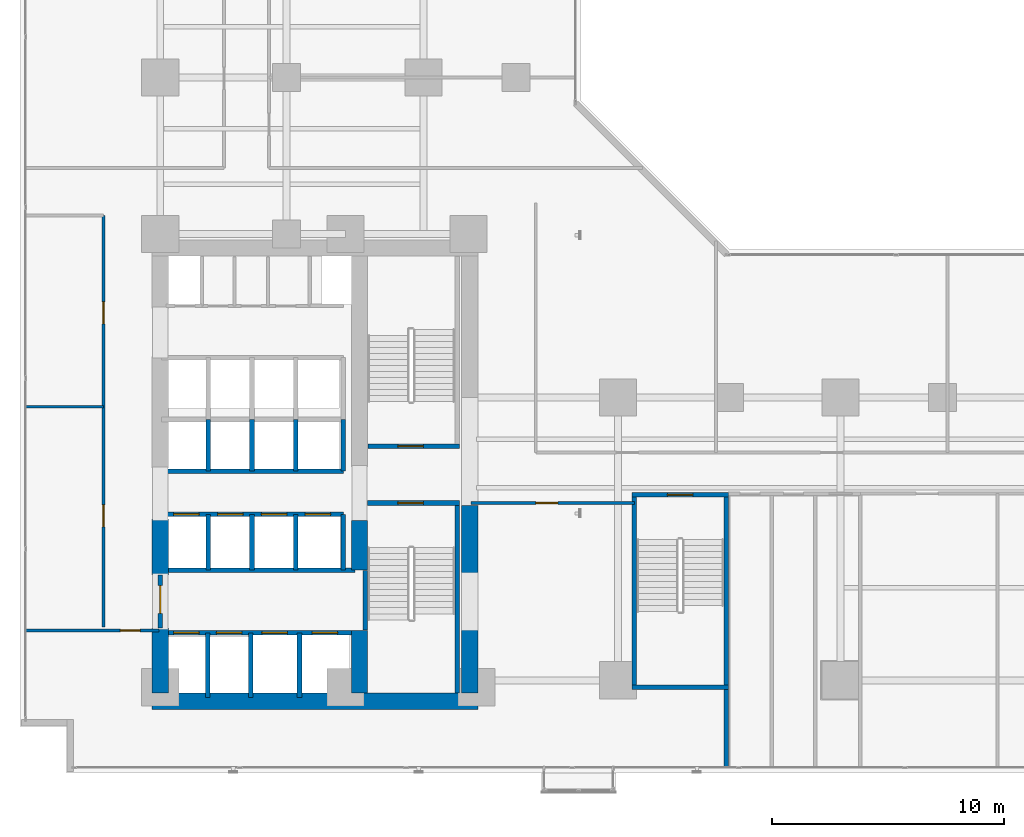
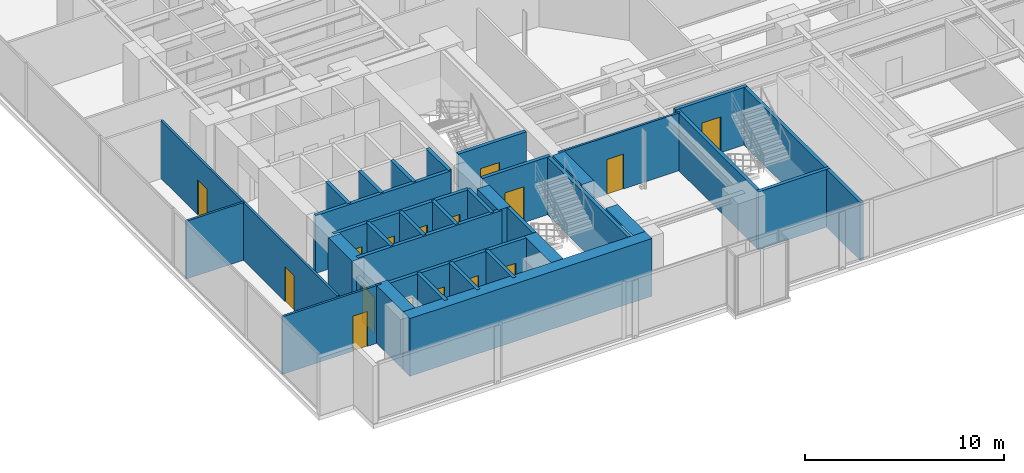
# One storey, part 22 of 28: 35 walls, 16 doors, 16 openings.
"""IFC4 building model written with IfcOpenShell, lengths in metres."""

from ifc_helpers import new_model, si_unit, direction, frame, frame_2d, origin, place, context, subcontext, project, spatial, rectangle, extrude, material, layer, layer_set, type_object, element, fill, save


model = new_model("IFC4")

# Units and contexts
model_context = context("Model", 3, precision=1e-05, world=origin(), true_north=direction((0.0, 1.0)))
body_context = subcontext(model_context, "Body", "Model", "MODEL_VIEW")
ifc_project = project(units=[si_unit("LENGTHUNIT", "METRE"), si_unit("AREAUNIT", "SQUARE_METRE"), si_unit("VOLUMEUNIT", "CUBIC_METRE"), si_unit("PLANEANGLEUNIT", "RADIAN"), si_unit("MASSUNIT", "GRAM", prefix="KILO")], contexts=[model_context])

# Site, building, storey
site_placement = place(None, origin())
site = spatial("IfcSite", under=ifc_project, at=site_placement, CompositionType="ELEMENT")
building_placement = place(site_placement, origin())
building = spatial("IfcBuilding", under=site, at=building_placement, Name="Kolvaren Waterfront Exchange", CompositionType="ELEMENT")
storey_placement = place(building_placement, frame((0.0, 0.0, 75.199951171875)))
storey = spatial("IfcBuildingStorey", under=building, at=storey_placement, Name="L19", CompositionType="ELEMENT", Elevation=75.199951171875)

# Wall, opening, door
ifc_material_1 = material(Name="Precast concrete C40/50", Category="concrete")
ifc_layer_1 = layer(ifc_material_1, 0.199951171875, Name="Precast concrete C40/50")
ifc_layer_set_1 = layer_set([ifc_layer_1], Name="Precast concrete C40/50")
wall_type_1 = type_object("IfcWallType", Name="ARC-FIRE-200", PredefinedType="PARTITIONING", material=ifc_layer_set_1)
wall_1_placement = place(storey_placement, frame((16.39990234375, 12.85009765625, 0.0), z_axis=(0.0, 0.0, 1.0), x_axis=(1.0, 0.0, 0.0)))
wall_1 = element("IfcWall", 1, at=wall_1_placement, inside=storey, type_object=wall_type_1, Name="L19 interior wall PW-L19-ST1-THROAT-S", PredefinedType="PARTITIONING", context=body_context, shape_type="SweptSolid", body=[
    extrude(rectangle(XDim=3.960205078125, YDim=0.199951171875, at=frame_2d((1.97998046875, 0.0))), origin(), (0.0, 0.0, 1.0), 3.5400390625),
])
opening_1_placement = place(wall_1_placement, frame((1.3037109375, 0.0, 0.0)))
opening_1 = element("IfcOpeningElement", 2, at=opening_1_placement, cuts=wall_1, Name="Opening FD2", PredefinedType="OPENING", context=body_context, shape_type="SweptSolid", body=[
    extrude(rectangle(XDim=1.10009765625, YDim=2.199951171875, at=frame_2d((0.550048828125, 1.10009765625))), frame((0.0, 0.10986328125, 0.0), z_axis=(0.0, -1.0, 0.0), x_axis=(1.0, 0.0, 0.0)), (0.0, 0.0, 1.0), 0.219970703125),
])
ifc_material_2 = material(Name="Pressed steel smoke-seal fire door", Category="steel")
door_type_1 = type_object("IfcDoorType", Name="ARC-FD-1100", OperationType="NOTDEFINED", PredefinedType="DOOR", material=ifc_material_2)
door_1_placement = place(opening_1_placement, frame((1.10009765625, 0.0, 0.0), z_axis=(0.0, 0.0, 1.0), x_axis=(-1.0, 0.0, 0.0)))
door_1 = element("IfcDoor", 3, at=door_1_placement, inside=storey, type_object=door_type_1, Name="L19 door DR-L19-ST1-IN (FD2)", OperationType="SINGLE_SWING_LEFT", OverallHeight=2.199951171875, OverallWidth=1.10009765625, PredefinedType="DOOR", context=body_context, shape_type="SweptSolid", body=[
    extrude(rectangle(XDim=1.10009765625, YDim=2.199951171875, at=frame_2d((0.550048828125, 1.10009765625))), frame((0.0, 0.02490234375, 0.0), z_axis=(0.0, -1.0, 0.0), x_axis=(1.0, 0.0, 0.0)), (0.0, 0.0, 1.0), 0.050048828125),
])
fill(opening_1, door_1)

wall_2_placement = place(storey_placement, frame((16.409912109375, 15.300048828125, 0.0), z_axis=(0.0, 0.0, 1.0), x_axis=(1.0, 0.0, 0.0)))
wall_2 = element("IfcWall", 4, at=wall_2_placement, inside=storey, type_object=wall_type_1, Name="L19 interior wall PW-L19-ST2-THROAT-N", PredefinedType="PARTITIONING", context=body_context, shape_type="SweptSolid", body=[
    extrude(rectangle(XDim=3.9501953125, YDim=0.199951171875, at=frame_2d((1.97509765625, 0.0))), origin(), (0.0, 0.0, 1.0), 3.5400390625),
])
opening_2_placement = place(wall_2_placement, frame((1.293701171875, 0.0, 0.0)))
opening_2 = element("IfcOpeningElement", 5, at=opening_2_placement, cuts=wall_2, Name="Opening FD2", PredefinedType="OPENING", context=body_context, shape_type="SweptSolid", body=[
    extrude(rectangle(XDim=1.10009765625, YDim=2.199951171875, at=frame_2d((0.550048828125, 1.10009765625))), frame((0.0, 0.10986328125, 0.0), z_axis=(0.0, -1.0, 0.0), x_axis=(1.0, 0.0, 0.0)), (0.0, 0.0, 1.0), 0.219970703125),
])
door_2_placement = place(opening_2_placement, origin())
door_2 = element("IfcDoor", 6, at=door_2_placement, inside=storey, type_object=door_type_1, Name="L19 door DR-L19-ST2-IN (FD2)", OperationType="SINGLE_SWING_RIGHT", OverallHeight=2.199951171875, OverallWidth=1.10009765625, PredefinedType="DOOR", context=body_context, shape_type="SweptSolid", body=[
    extrude(rectangle(XDim=1.10009765625, YDim=2.199951171875, at=frame_2d((0.550048828125, 1.10009765625))), frame((0.0, 0.02490234375, 0.0), z_axis=(0.0, -1.0, 0.0), x_axis=(1.0, 0.0, 0.0)), (0.0, 0.0, 1.0), 0.050048828125),
])
fill(opening_2, door_2)

# Wall
wall_3_placement = place(storey_placement, frame((7.5, 9.949951171875, 0.0), z_axis=(0.0, 0.0, 1.0), x_axis=(1.0, 0.0, 0.0)))
element("IfcWall", 7, at=wall_3_placement, inside=storey, type_object=wall_type_1, Name="L19 interior wall PW-L19-FF-N", PredefinedType="PARTITIONING", context=body_context, shape_type="SweptSolid", body=[
    extrude(rectangle(XDim=8.35009765625, YDim=0.199951171875, at=frame_2d((4.175048828125, 0.0))), origin(), (0.0, 0.0, 1.0), 3.5400390625),
])

# Wall, opening, door
wall_4_placement = place(storey_placement, frame((7.449951171875, 7.449951171875, 0.0), z_axis=(0.0, 0.0, 1.0), x_axis=(0.0, 1.0, 0.0)))
wall_4 = element("IfcWall", 8, at=wall_4_placement, inside=storey, type_object=wall_type_1, Name="L19 interior wall PW-L19-FF-W-DOOR", PredefinedType="PARTITIONING", context=body_context, shape_type="SweptSolid", body=[
    extrude(rectangle(XDim=2.300048828125, YDim=0.199951171875, at=frame_2d((1.14990234375, 0.0))), origin(), (0.0, 0.0, 1.0), 2.52001953125),
])
opening_3_placement = place(wall_4_placement, frame((0.63330078125, 0.0, 0.0)))
opening_3 = element("IfcOpeningElement", 9, at=opening_3_placement, cuts=wall_4, Name="Opening FD3", PredefinedType="OPENING", context=body_context, shape_type="SweptSolid", body=[
    extrude(rectangle(XDim=1.199951171875, YDim=2.25, at=frame_2d((0.60009765625, 1.125))), frame((0.0, 0.10986328125, 0.0), z_axis=(0.0, -1.0, 0.0), x_axis=(1.0, 0.0, 0.0)), (0.0, 0.0, 1.0), 0.219970703125),
])
ifc_material_3 = material(Name="Pressed steel fire door", Category="steel")
door_type_2 = type_object("IfcDoorType", Name="ARC-FD-1200", OperationType="NOTDEFINED", PredefinedType="DOOR", material=ifc_material_3)
door_3_placement = place(opening_3_placement, frame((1.199951171875, 0.0, 0.0), z_axis=(0.0, 0.0, 1.0), x_axis=(-1.0, 0.0, 0.0)))
door_3 = element("IfcDoor", 10, at=door_3_placement, inside=storey, type_object=door_type_2, Name="L19 door DR-L19-FF-OUT (FD3)", OperationType="SINGLE_SWING_RIGHT", OverallHeight=2.25, OverallWidth=1.199951171875, PredefinedType="DOOR", context=body_context, shape_type="SweptSolid", body=[
    extrude(rectangle(XDim=1.199951171875, YDim=2.25, at=frame_2d((0.60009765625, 1.125))), frame((0.0, 0.02490234375, 0.0), z_axis=(0.0, -1.0, 0.0), x_axis=(1.0, 0.0, 0.0)), (0.0, 0.0, 1.0), 0.050048828125),
])
fill(opening_3, door_3)

ifc_material_4 = material(Name="Acoustic gypsum steel stud", Category="steel")
ifc_layer_2 = layer(ifc_material_4, 0.125, Name="Acoustic gypsum steel stud")
ifc_layer_set_2 = layer_set([ifc_layer_2], Name="Acoustic gypsum steel stud")
wall_type_2 = type_object("IfcWallType", Name="ARC-PART-125", PredefinedType="PARTITIONING", material=ifc_layer_set_2)
wall_5_placement = place(storey_placement, frame((1.639892578125, 7.35009765625, 0.0), z_axis=(0.0, 0.0, 1.0), x_axis=(1.0, 0.0, 0.0)))
wall_5 = element("IfcWall", 11, at=wall_5_placement, inside=storey, type_object=wall_type_2, Name="L19 interior wall PW-L19-SWC-N", PredefinedType="PARTITIONING", context=body_context, shape_type="SweptSolid", body=[
    extrude(rectangle(XDim=5.760009765625, YDim=0.125, at=frame_2d((2.8798828125, 0.0))), origin(), (0.0, 0.0, 1.0), 3.5400390625),
])
opening_4_placement = place(wall_5_placement, frame((4.086669921875, 0.0, 0.0)))
opening_4 = element("IfcOpeningElement", 12, at=opening_4_placement, cuts=wall_5, Name="Opening D01", PredefinedType="OPENING", context=body_context, shape_type="SweptSolid", body=[
    extrude(rectangle(XDim=0.85009765625, YDim=2.14990234375, at=frame_2d((0.425048828125, 1.074951171875))), frame((0.0, 0.072509765625, 0.0), z_axis=(0.0, -1.0, 0.0), x_axis=(1.0, 0.0, 0.0)), (0.0, 0.0, 1.0), 0.14501953125),
])
ifc_material_5 = material(Name="Oak veneer timber leaf", Category="wood")
door_type_3 = type_object("IfcDoorType", Name="ARC-DR-900", OperationType="NOTDEFINED", PredefinedType="DOOR", material=ifc_material_5)
door_4_placement = place(opening_4_placement, origin())
door_4 = element("IfcDoor", 13, at=door_4_placement, inside=storey, type_object=door_type_3, Name="L19 door DR-L19-SWC-D (D01)", OperationType="SINGLE_SWING_RIGHT", OverallHeight=2.14990234375, OverallWidth=0.85009765625, PredefinedType="DOOR", context=body_context, shape_type="SweptSolid", body=[
    extrude(rectangle(XDim=0.85009765625, YDim=2.14990234375, at=frame_2d((0.425048828125, 1.074951171875))), frame((0.0, 0.02490234375, 0.0), z_axis=(0.0, -1.0, 0.0), x_axis=(1.0, 0.0, 0.0)), (0.0, 0.0, 1.0), 0.050048828125),
])
fill(opening_4, door_4)

# Wall, openings, doors
wall_6_placement = place(storey_placement, frame((5.0, 7.5, 0.0), z_axis=(0.0, 0.0, 1.0), x_axis=(0.0, 1.0, 0.0)))
wall_6 = element("IfcWall", 14, at=wall_6_placement, inside=storey, type_object=wall_type_2, Name="L19 interior wall PW-L19-WFLANK-E", PredefinedType="PARTITIONING", context=body_context, shape_type="SweptSolid", body=[
    extrude(rectangle(XDim=17.75, YDim=0.125, at=frame_2d((8.875, 0.0))), origin(), (0.0, 0.0, 1.0), 3.5400390625),
])
opening_5_placement = place(wall_6_placement, frame((4.320068359375, 0.0, 0.0)))
opening_5 = element("IfcOpeningElement", 15, at=opening_5_placement, cuts=wall_6, Name="Opening D02", PredefinedType="OPENING", context=body_context, shape_type="SweptSolid", body=[
    extrude(rectangle(XDim=0.949951171875, YDim=2.14990234375, at=frame_2d((0.47509765625, 1.074951171875))), frame((0.0, 0.072509765625, 0.0), z_axis=(0.0, -1.0, 0.0), x_axis=(1.0, 0.0, 0.0)), (0.0, 0.0, 1.0), 0.14501953125),
])
opening_6_placement = place(wall_6_placement, frame((13.078857421875, 0.0, 0.0)))
opening_6 = element("IfcOpeningElement", 16, at=opening_6_placement, cuts=wall_6, Name="Opening D02", PredefinedType="OPENING", context=body_context, shape_type="SweptSolid", body=[
    extrude(rectangle(XDim=0.949951171875, YDim=2.14990234375, at=frame_2d((0.47509765625, 1.074951171875))), frame((0.0, 0.072509765625, 0.0), z_axis=(0.0, -1.0, 0.0), x_axis=(1.0, 0.0, 0.0)), (0.0, 0.0, 1.0), 0.14501953125),
])
ifc_material_6 = material(Name="Oak veneer acoustic timber", Category="wood")
door_type_4 = type_object("IfcDoorType", Name="ARC-DR-950", OperationType="NOTDEFINED", PredefinedType="DOOR", material=ifc_material_6)
door_5_placement = place(opening_5_placement, origin())
door_5 = element("IfcDoor", 17, at=door_5_placement, inside=storey, type_object=door_type_4, Name="L19 door DR-L19-WFL1-D (D02)", OperationType="SINGLE_SWING_LEFT", OverallHeight=2.14990234375, OverallWidth=0.949951171875, PredefinedType="DOOR", context=body_context, shape_type="SweptSolid", body=[
    extrude(rectangle(XDim=0.949951171875, YDim=2.14990234375, at=frame_2d((0.47509765625, 1.074951171875))), frame((0.0, 0.02490234375, 0.0), z_axis=(0.0, -1.0, 0.0), x_axis=(1.0, 0.0, 0.0)), (0.0, 0.0, 1.0), 0.050048828125),
])
fill(opening_5, door_5)
door_6_placement = place(opening_6_placement, origin())
door_6 = element("IfcDoor", 18, at=door_6_placement, inside=storey, type_object=door_type_4, Name="L19 door DR-L19-WFL2-D (D02)", OperationType="SINGLE_SWING_RIGHT", OverallHeight=2.14990234375, OverallWidth=0.949951171875, PredefinedType="DOOR", context=body_context, shape_type="SweptSolid", body=[
    extrude(rectangle(XDim=0.949951171875, YDim=2.14990234375, at=frame_2d((0.47509765625, 1.074951171875))), frame((0.0, 0.02490234375, 0.0), z_axis=(0.0, -1.0, 0.0), x_axis=(1.0, 0.0, 0.0)), (0.0, 0.0, 1.0), 0.050048828125),
])
fill(opening_6, door_6)

# Wall
wall_7_placement = place(storey_placement, frame((1.639892578125, 17.0, 0.0), z_axis=(0.0, 0.0, 1.0), x_axis=(1.0, 0.0, 0.0)))
element("IfcWall", 19, at=wall_7_placement, inside=storey, type_object=wall_type_2, Name="L19 interior wall PW-L19-WFLANK-MID", PredefinedType="PARTITIONING", context=body_context, shape_type="SweptSolid", body=[
    extrude(rectangle(XDim=3.360107421875, YDim=0.125, at=frame_2d((1.68017578125, 0.0))), origin(), (0.0, 0.0, 1.0), 3.5400390625),
])

# Wall, opening, door
wall_8_placement = place(storey_placement, frame((20.85009765625, 12.85009765625, 0.0), z_axis=(0.0, 0.0, 1.0), x_axis=(1.0, 0.0, 0.0)))
wall_8 = element("IfcWall", 20, at=wall_8_placement, inside=storey, type_object=wall_type_2, Name="L19 interior wall PW-L19-SWST3-N", PredefinedType="PARTITIONING", context=body_context, shape_type="SweptSolid", body=[
    extrude(rectangle(XDim=7.0498046875, YDim=0.125, at=frame_2d((3.52490234375, 0.0))), origin(), (0.0, 0.0, 1.0), 3.5400390625),
])
opening_7_placement = place(wall_8_placement, frame((2.800048828125, 0.0, 0.0)))
opening_7 = element("IfcOpeningElement", 21, at=opening_7_placement, cuts=wall_8, Name="Opening D02", PredefinedType="OPENING", context=body_context, shape_type="SweptSolid", body=[
    extrude(rectangle(XDim=0.949951171875, YDim=2.14990234375, at=frame_2d((0.47509765625, 1.074951171875))), frame((0.0, 0.072509765625, 0.0), z_axis=(0.0, -1.0, 0.0), x_axis=(1.0, 0.0, 0.0)), (0.0, 0.0, 1.0), 0.14501953125),
])
door_7_placement = place(opening_7_placement, origin())
door_7 = element("IfcDoor", 22, at=door_7_placement, inside=storey, type_object=door_type_4, Name="L19 door DR-L19-SWST3-D (D02)", OperationType="SINGLE_SWING_LEFT", OverallHeight=2.14990234375, OverallWidth=0.949951171875, PredefinedType="DOOR", context=body_context, shape_type="SweptSolid", body=[
    extrude(rectangle(XDim=0.949951171875, YDim=2.14990234375, at=frame_2d((0.47509765625, 1.074951171875))), frame((0.0, 0.02490234375, 0.0), z_axis=(0.0, -1.0, 0.0), x_axis=(1.0, 0.0, 0.0)), (0.0, 0.0, 1.0), 0.050048828125),
])
fill(opening_7, door_7)

# Walls
ifc_material_7 = material(Name="Concrete C40/50", Category="concrete")
ifc_layer_3 = layer(ifc_material_7, 0.199951171875, Name="Concrete C40/50")
ifc_layer_set_3 = layer_set([ifc_layer_3], Name="Concrete C40/50")
wall_type_3 = type_object("IfcWallType", Name="ARC-SHAFT-200", PredefinedType="PARTITIONING", material=ifc_layer_set_3)
wall_9_placement = place(storey_placement, frame((16.300048828125, 7.360107421875, 0.0), z_axis=(0.0, 0.0, 1.0), x_axis=(0.0, 1.0, 0.0)))
element("IfcWall", 23, at=wall_9_placement, inside=storey, type_object=wall_type_3, Name="L19 structural stairwell wall PW-L19-ST1-W", PredefinedType="SHEAR", context=body_context, shape_type="SweptSolid", body=[
    extrude(rectangle(XDim=2.579833984375, YDim=0.199951171875, at=frame_2d((1.2900390625, 0.0))), origin(), (0.0, 0.0, 1.0), 3.5400390625),
])
wall_10_placement = place(storey_placement, frame((20.260009765625, 4.659912109375, 0.0), z_axis=(0.0, 0.0, 1.0), x_axis=(0.0, 1.0, 0.0)))
element("IfcWall", 24, at=wall_10_placement, inside=storey, type_object=wall_type_3, Name="L19 structural stairwell wall PW-L19-ST1-E", PredefinedType="SHEAR", context=body_context, shape_type="SweptSolid", body=[
    extrude(rectangle(XDim=8.090087890625, YDim=0.199951171875, at=frame_2d((4.044921875, 0.0))), origin(), (0.0, 0.0, 1.0), 3.5400390625),
])
wall_11_placement = place(storey_placement, frame((27.89990234375, 5.0, 0.0), z_axis=(0.0, 0.0, 1.0), x_axis=(0.0, 1.0, 0.0)))
element("IfcWall", 25, at=wall_11_placement, inside=storey, type_object=wall_type_3, Name="L19 structural stairwell wall PW-L19-ST3-W", PredefinedType="SHEAR", context=body_context, shape_type="SweptSolid", body=[
    extrude(rectangle(XDim=8.10009765625, YDim=0.199951171875, at=frame_2d((4.050048828125, 0.0))), origin(), (0.0, 0.0, 1.0), 3.5400390625),
])
wall_12_placement = place(storey_placement, frame((31.860107421875, 1.43994140625, 0.0), z_axis=(0.0, 0.0, 1.0), x_axis=(0.0, 1.0, 0.0)))
element("IfcWall", 26, at=wall_12_placement, inside=storey, type_object=wall_type_3, Name="L19 structural stairwell wall PW-L19-ST3-E", PredefinedType="SHEAR", context=body_context, shape_type="SweptSolid", body=[
    extrude(rectangle(XDim=11.81005859375, YDim=0.199951171875, at=frame_2d((5.905029296875, 0.0))), origin(), (0.0, 0.0, 1.0), 3.5400390625),
])
wall_13_placement = place(storey_placement, frame((27.800048828125, 4.89990234375, 0.0), z_axis=(0.0, 0.0, 1.0), x_axis=(1.0, 0.0, 0.0)))
element("IfcWall", 27, at=wall_13_placement, inside=storey, type_object=wall_type_3, Name="L19 structural stairwell wall PW-L19-ST3-S", PredefinedType="SHEAR", context=body_context, shape_type="SweptSolid", body=[
    extrude(rectangle(XDim=4.159912109375, YDim=0.199951171875, at=frame_2d((2.080078125, 0.0))), origin(), (0.0, 0.0, 1.0), 3.5400390625),
])

# Wall, opening, door
wall_14_placement = place(storey_placement, frame((27.800048828125, 13.199951171875, 0.0), z_axis=(0.0, 0.0, 1.0), x_axis=(1.0, 0.0, 0.0)))
wall_14 = element("IfcWall", 28, at=wall_14_placement, inside=storey, type_object=wall_type_3, Name="L19 structural stairwell wall PW-L19-ST3-N", PredefinedType="SHEAR", context=body_context, shape_type="SweptSolid", body=[
    extrude(rectangle(XDim=4.159912109375, YDim=0.199951171875, at=frame_2d((2.080078125, 0.0))), origin(), (0.0, 0.0, 1.0), 3.5400390625),
])
opening_8_placement = place(wall_14_placement, frame((1.530029296875, 0.0, 0.0)))
opening_8 = element("IfcOpeningElement", 29, at=opening_8_placement, cuts=wall_14, Name="Opening FD2", PredefinedType="OPENING", context=body_context, shape_type="SweptSolid", body=[
    extrude(rectangle(XDim=1.10009765625, YDim=2.199951171875, at=frame_2d((0.550048828125, 1.10009765625))), frame((0.0, 0.10986328125, 0.0), z_axis=(0.0, -1.0, 0.0), x_axis=(1.0, 0.0, 0.0)), (0.0, 0.0, 1.0), 0.219970703125),
])
door_8_placement = place(opening_8_placement, frame((1.10009765625, 0.0, 0.0), z_axis=(0.0, 0.0, 1.0), x_axis=(-1.0, 0.0, 0.0)))
door_8 = element("IfcDoor", 30, at=door_8_placement, inside=storey, type_object=door_type_1, Name="L19 door DR-L19-ST3-IN (FD2)", OperationType="SINGLE_SWING_LEFT", OverallHeight=2.199951171875, OverallWidth=1.10009765625, PredefinedType="DOOR", context=body_context, shape_type="SweptSolid", body=[
    extrude(rectangle(XDim=1.10009765625, YDim=2.199951171875, at=frame_2d((0.550048828125, 1.10009765625))), frame((0.0, 0.02490234375, 0.0), z_axis=(0.0, -1.0, 0.0), x_axis=(1.0, 0.0, 0.0)), (0.0, 0.0, 1.0), 0.050048828125),
])
fill(opening_8, door_8)

# Wall, openings, doors
wall_15_placement = place(storey_placement, frame((7.5, 7.25, 0.0), z_axis=(0.0, 0.0, 1.0), x_axis=(1.0, 0.0, 0.0)))
wall_15 = element("IfcWall", 31, at=wall_15_placement, inside=storey, type_object=wall_type_3, Name="L19 interior wall PW-L19-FF-S", PredefinedType="PARTITIONING", context=body_context, shape_type="SweptSolid", body=[
    extrude(rectangle(XDim=8.35009765625, YDim=0.199951171875, at=frame_2d((4.175048828125, 0.0))), origin(), (0.0, 0.0, 1.0), 3.5400390625),
])
opening_9_placement = place(wall_15_placement, frame((0.530029296875, 0.0, 0.0)))
opening_9 = element("IfcOpeningElement", 32, at=opening_9_placement, cuts=wall_15, Name="Opening LD1", PredefinedType="OPENING", context=body_context, shape_type="SweptSolid", body=[
    extrude(rectangle(XDim=1.10009765625, YDim=2.199951171875, at=frame_2d((0.550048828125, 1.10009765625))), frame((0.0, 0.10986328125, 0.0), z_axis=(0.0, -1.0, 0.0), x_axis=(1.0, 0.0, 0.0)), (0.0, 0.0, 1.0), 0.219970703125),
])
opening_10_placement = place(wall_15_placement, frame((2.3701171875, 0.0, 0.0)))
opening_10 = element("IfcOpeningElement", 33, at=opening_10_placement, cuts=wall_15, Name="Opening LD1", PredefinedType="OPENING", context=body_context, shape_type="SweptSolid", body=[
    extrude(rectangle(XDim=1.10009765625, YDim=2.199951171875, at=frame_2d((0.550048828125, 1.10009765625))), frame((0.0, 0.10986328125, 0.0), z_axis=(0.0, -1.0, 0.0), x_axis=(1.0, 0.0, 0.0)), (0.0, 0.0, 1.0), 0.219970703125),
])
opening_11_placement = place(wall_15_placement, frame((4.330078125, 0.0, 0.0)))
opening_11 = element("IfcOpeningElement", 34, at=opening_11_placement, cuts=wall_15, Name="Opening LD1", PredefinedType="OPENING", context=body_context, shape_type="SweptSolid", body=[
    extrude(rectangle(XDim=1.10009765625, YDim=2.199951171875, at=frame_2d((0.550048828125, 1.10009765625))), frame((0.0, 0.10986328125, 0.0), z_axis=(0.0, -1.0, 0.0), x_axis=(1.0, 0.0, 0.0)), (0.0, 0.0, 1.0), 0.219970703125),
])
opening_12_placement = place(wall_15_placement, frame((6.5, 0.0, 0.0)))
opening_12 = element("IfcOpeningElement", 35, at=opening_12_placement, cuts=wall_15, Name="Opening LD1", PredefinedType="OPENING", context=body_context, shape_type="SweptSolid", body=[
    extrude(rectangle(XDim=1.10009765625, YDim=2.199951171875, at=frame_2d((0.550048828125, 1.10009765625))), frame((0.0, 0.10986328125, 0.0), z_axis=(0.0, -1.0, 0.0), x_axis=(1.0, 0.0, 0.0)), (0.0, 0.0, 1.0), 0.219970703125),
])
ifc_material_8 = material(Name="Stainless steel sliding landing door", Category="steel")
door_type_5 = type_object("IfcDoorType", Name="ARC-LD-FF", OperationType="SLIDING_TO_LEFT", PredefinedType="DOOR", material=ifc_material_8)
door_9_placement = place(opening_9_placement, origin())
door_9 = element("IfcDoor", 36, at=door_9_placement, inside=storey, type_object=door_type_5, Name="L19 door LD-L19-FFL1 (LD1)", OperationType="SLIDING_TO_LEFT", OverallHeight=2.199951171875, OverallWidth=1.10009765625, PredefinedType="DOOR", context=body_context, shape_type="SweptSolid", body=[
    extrude(rectangle(XDim=1.10009765625, YDim=2.199951171875, at=frame_2d((0.550048828125, 1.10009765625))), frame((0.0, 0.02490234375, 0.0), z_axis=(0.0, -1.0, 0.0), x_axis=(1.0, 0.0, 0.0)), (0.0, 0.0, 1.0), 0.050048828125),
])
fill(opening_9, door_9)
door_10_placement = place(opening_10_placement, origin())
door_10 = element("IfcDoor", 37, at=door_10_placement, inside=storey, type_object=door_type_5, Name="L19 door LD-L19-FFL2 (LD1)", OperationType="SLIDING_TO_LEFT", OverallHeight=2.199951171875, OverallWidth=1.10009765625, PredefinedType="DOOR", context=body_context, shape_type="SweptSolid", body=[
    extrude(rectangle(XDim=1.10009765625, YDim=2.199951171875, at=frame_2d((0.550048828125, 1.10009765625))), frame((0.0, 0.02490234375, 0.0), z_axis=(0.0, -1.0, 0.0), x_axis=(1.0, 0.0, 0.0)), (0.0, 0.0, 1.0), 0.050048828125),
])
fill(opening_10, door_10)
door_11_placement = place(opening_11_placement, origin())
door_11 = element("IfcDoor", 38, at=door_11_placement, inside=storey, type_object=door_type_5, Name="L19 door LD-L19-GL1 (LD1)", OperationType="SLIDING_TO_LEFT", OverallHeight=2.199951171875, OverallWidth=1.10009765625, PredefinedType="DOOR", context=body_context, shape_type="SweptSolid", body=[
    extrude(rectangle(XDim=1.10009765625, YDim=2.199951171875, at=frame_2d((0.550048828125, 1.10009765625))), frame((0.0, 0.02490234375, 0.0), z_axis=(0.0, -1.0, 0.0), x_axis=(1.0, 0.0, 0.0)), (0.0, 0.0, 1.0), 0.050048828125),
])
fill(opening_11, door_11)
door_12_placement = place(opening_12_placement, origin())
door_12 = element("IfcDoor", 39, at=door_12_placement, inside=storey, type_object=door_type_5, Name="L19 door LD-L19-GL2 (LD1)", OperationType="SLIDING_TO_LEFT", OverallHeight=2.199951171875, OverallWidth=1.10009765625, PredefinedType="DOOR", context=body_context, shape_type="SweptSolid", body=[
    extrude(rectangle(XDim=1.10009765625, YDim=2.199951171875, at=frame_2d((0.550048828125, 1.10009765625))), frame((0.0, 0.02490234375, 0.0), z_axis=(0.0, -1.0, 0.0), x_axis=(1.0, 0.0, 0.0)), (0.0, 0.0, 1.0), 0.050048828125),
])
fill(opening_12, door_12)

# Walls
for number, where, z_axis, x_axis, name in (
    (40, (9.5, 4.449951171875, 0.0), (0.0, 0.0, 1.0), (0.0, 1.0, 0.0), "L19 interior wall PW-L19-SH1-DIV-95"),
    (41, (11.360107421875, 4.449951171875, 0.0), (0.0, 0.0, 1.0), (0.0, 1.0, 0.0), "L19 interior wall PW-L19-SH1-DIV-113"),
    (42, (13.4599609375, 4.449951171875, 0.0), (0.0, 0.0, 1.0), (0.0, 1.0, 0.0), "L19 interior wall PW-L19-SH1-DIV-134"),
):
    element("IfcWall", number, at=place(storey_placement, frame(where, z_axis=z_axis, x_axis=x_axis)), inside=storey, type_object=wall_type_3, Name=name, PredefinedType="PARTITIONING", context=body_context, shape_type="SweptSolid", body=[
        extrude(rectangle(XDim=2.800048828125, YDim=0.199951171875, at=frame_2d((1.39990234375, 0.0))), origin(), (0.0, 0.0, 1.0), 3.5400390625),
    ])

# Wall, openings, doors
wall_16_placement = place(storey_placement, frame((7.5, 12.360107421875, 0.0), z_axis=(0.0, 0.0, 1.0), x_axis=(1.0, 0.0, 0.0)))
wall_16 = element("IfcWall", 43, at=wall_16_placement, inside=storey, type_object=wall_type_3, Name="L19 interior wall PW-L19-PL-N", PredefinedType="PARTITIONING", context=body_context, shape_type="SweptSolid", body=[
    extrude(rectangle(XDim=7.85009765625, YDim=0.199951171875, at=frame_2d((3.925048828125, 0.0))), origin(), (0.0, 0.0, 1.0), 3.5400390625),
])
opening_13_placement = place(wall_16_placement, frame((0.530029296875, 0.0, 0.0)))
opening_13 = element("IfcOpeningElement", 44, at=opening_13_placement, cuts=wall_16, Name="Opening LD2", PredefinedType="OPENING", context=body_context, shape_type="SweptSolid", body=[
    extrude(rectangle(XDim=1.10009765625, YDim=2.199951171875, at=frame_2d((0.550048828125, 1.10009765625))), frame((0.0, 0.10986328125, 0.0), z_axis=(0.0, -1.0, 0.0), x_axis=(1.0, 0.0, 0.0)), (0.0, 0.0, 1.0), 0.219970703125),
])
opening_14_placement = place(wall_16_placement, frame((2.419921875, 0.0, 0.0)))
opening_14 = element("IfcOpeningElement", 45, at=opening_14_placement, cuts=wall_16, Name="Opening LD2", PredefinedType="OPENING", context=body_context, shape_type="SweptSolid", body=[
    extrude(rectangle(XDim=1.10009765625, YDim=2.199951171875, at=frame_2d((0.550048828125, 1.10009765625))), frame((0.0, 0.10986328125, 0.0), z_axis=(0.0, -1.0, 0.0), x_axis=(1.0, 0.0, 0.0)), (0.0, 0.0, 1.0), 0.219970703125),
])
opening_15_placement = place(wall_16_placement, frame((4.31005859375, 0.0, 0.0)))
opening_15 = element("IfcOpeningElement", 46, at=opening_15_placement, cuts=wall_16, Name="Opening LD2", PredefinedType="OPENING", context=body_context, shape_type="SweptSolid", body=[
    extrude(rectangle(XDim=1.10009765625, YDim=2.199951171875, at=frame_2d((0.550048828125, 1.10009765625))), frame((0.0, 0.10986328125, 0.0), z_axis=(0.0, -1.0, 0.0), x_axis=(1.0, 0.0, 0.0)), (0.0, 0.0, 1.0), 0.219970703125),
])
opening_16_placement = place(wall_16_placement, frame((6.199951171875, 0.0, 0.0)))
opening_16 = element("IfcOpeningElement", 47, at=opening_16_placement, cuts=wall_16, Name="Opening LD2", PredefinedType="OPENING", context=body_context, shape_type="SweptSolid", body=[
    extrude(rectangle(XDim=1.10009765625, YDim=2.199951171875, at=frame_2d((0.550048828125, 1.10009765625))), frame((0.0, 0.10986328125, 0.0), z_axis=(0.0, -1.0, 0.0), x_axis=(1.0, 0.0, 0.0)), (0.0, 0.0, 1.0), 0.219970703125),
])
ifc_material_9 = material(Name="Brushed bronze sliding landing door", Category="aluminium")
door_type_6 = type_object("IfcDoorType", Name="ARC-LD-PAX", OperationType="SLIDING_TO_LEFT", PredefinedType="DOOR", material=ifc_material_9)
door_13_placement = place(opening_13_placement, origin())
door_13 = element("IfcDoor", 48, at=door_13_placement, inside=storey, type_object=door_type_6, Name="L19 door LD-L19-PL1 (LD2)", OperationType="SLIDING_TO_LEFT", OverallHeight=2.199951171875, OverallWidth=1.10009765625, PredefinedType="DOOR", context=body_context, shape_type="SweptSolid", body=[
    extrude(rectangle(XDim=1.10009765625, YDim=2.199951171875, at=frame_2d((0.550048828125, 1.10009765625))), frame((0.0, 0.02490234375, 0.0), z_axis=(0.0, -1.0, 0.0), x_axis=(1.0, 0.0, 0.0)), (0.0, 0.0, 1.0), 0.050048828125),
])
fill(opening_13, door_13)
door_14_placement = place(opening_14_placement, origin())
door_14 = element("IfcDoor", 49, at=door_14_placement, inside=storey, type_object=door_type_6, Name="L19 door LD-L19-PL2 (LD2)", OperationType="SLIDING_TO_LEFT", OverallHeight=2.199951171875, OverallWidth=1.10009765625, PredefinedType="DOOR", context=body_context, shape_type="SweptSolid", body=[
    extrude(rectangle(XDim=1.10009765625, YDim=2.199951171875, at=frame_2d((0.550048828125, 1.10009765625))), frame((0.0, 0.02490234375, 0.0), z_axis=(0.0, -1.0, 0.0), x_axis=(1.0, 0.0, 0.0)), (0.0, 0.0, 1.0), 0.050048828125),
])
fill(opening_14, door_14)
door_15_placement = place(opening_15_placement, origin())
door_15 = element("IfcDoor", 50, at=door_15_placement, inside=storey, type_object=door_type_6, Name="L19 door LD-L19-PL3 (LD2)", OperationType="SLIDING_TO_LEFT", OverallHeight=2.199951171875, OverallWidth=1.10009765625, PredefinedType="DOOR", context=body_context, shape_type="SweptSolid", body=[
    extrude(rectangle(XDim=1.10009765625, YDim=2.199951171875, at=frame_2d((0.550048828125, 1.10009765625))), frame((0.0, 0.02490234375, 0.0), z_axis=(0.0, -1.0, 0.0), x_axis=(1.0, 0.0, 0.0)), (0.0, 0.0, 1.0), 0.050048828125),
])
fill(opening_15, door_15)
door_16_placement = place(opening_16_placement, origin())
door_16 = element("IfcDoor", 51, at=door_16_placement, inside=storey, type_object=door_type_6, Name="L19 door LD-L19-PL4 (LD2)", OperationType="SLIDING_TO_LEFT", OverallHeight=2.199951171875, OverallWidth=1.10009765625, PredefinedType="DOOR", context=body_context, shape_type="SweptSolid", body=[
    extrude(rectangle(XDim=1.10009765625, YDim=2.199951171875, at=frame_2d((0.550048828125, 1.10009765625))), frame((0.0, 0.02490234375, 0.0), z_axis=(0.0, -1.0, 0.0), x_axis=(1.0, 0.0, 0.0)), (0.0, 0.0, 1.0), 0.050048828125),
])
fill(opening_16, door_16)

# Walls
for number, where, z_axis, x_axis, name in (
    (52, (15.35009765625, 9.949951171875, 0.0), (0.0, 0.0, 1.0), (0.0, 1.0, 0.0), "L19 interior wall PW-L19-PL-E"),
    (53, (9.52001953125, 9.949951171875, 0.0), (0.0, 0.0, 1.0), (0.0, 1.0, 0.0), "L19 interior wall PW-L19-SH2-DIV-95"),
    (54, (11.409912109375, 9.949951171875, 0.0), (0.0, 0.0, 1.0), (0.0, 1.0, 0.0), "L19 interior wall PW-L19-SH2-DIV-114"),
    (55, (13.300048828125, 9.949951171875, 0.0), (0.0, 0.0, 1.0), (0.0, 1.0, 0.0), "L19 interior wall PW-L19-SH2-DIV-133"),
):
    element("IfcWall", number, at=place(storey_placement, frame(where, z_axis=z_axis, x_axis=x_axis)), inside=storey, type_object=wall_type_3, Name=name, PredefinedType="PARTITIONING", context=body_context, shape_type="SweptSolid", body=[
        extrude(rectangle(XDim=2.41015625, YDim=0.199951171875, at=frame_2d((1.205078125, 0.0))), origin(), (0.0, 0.0, 1.0), 3.5400390625),
    ])
wall_17_placement = place(storey_placement, frame((7.5, 14.219970703125, 0.0), z_axis=(0.0, 0.0, 1.0), x_axis=(1.0, 0.0, 0.0)))
element("IfcWall", 56, at=wall_17_placement, inside=storey, type_object=wall_type_3, Name="L19 interior wall PW-L19-PM-S", PredefinedType="PARTITIONING", context=body_context, shape_type="SweptSolid", body=[
    extrude(rectangle(XDim=7.85009765625, YDim=0.199951171875, at=frame_2d((3.925048828125, 0.0))), origin(), (0.0, 0.0, 1.0), 3.5400390625),
])
for number, where, z_axis, x_axis, name in (
    (57, (15.35009765625, 14.219970703125, 0.0), (0.0, 0.0, 1.0), (0.0, 1.0, 0.0), "L19 interior wall PW-L19-PM-E"),
    (58, (9.52001953125, 14.219970703125, 0.0), (0.0, 0.0, 1.0), (0.0, 1.0, 0.0), "L19 interior wall PW-L19-SH3-DIV-95"),
    (59, (11.409912109375, 14.219970703125, 0.0), (0.0, 0.0, 1.0), (0.0, 1.0, 0.0), "L19 interior wall PW-L19-SH3-DIV-114"),
    (60, (13.300048828125, 14.219970703125, 0.0), (0.0, 0.0, 1.0), (0.0, 1.0, 0.0), "L19 interior wall PW-L19-SH3-DIV-133"),
):
    element("IfcWall", number, at=place(storey_placement, frame(where, z_axis=z_axis, x_axis=x_axis)), inside=storey, type_object=wall_type_3, Name=name, PredefinedType="PARTITIONING", context=body_context, shape_type="SweptSolid", body=[
        extrude(rectangle(XDim=2.22998046875, YDim=0.199951171875, at=frame_2d((1.114990234375, 0.0))), origin(), (0.0, 0.0, 1.0), 3.5400390625),
    ])
ifc_material_10 = material(Name="Concrete C70/85", Category="concrete")
ifc_layer_4 = layer(ifc_material_10, 0.699951171875, Name="Concrete C70/85")
ifc_layer_set_4 = layer_set([ifc_layer_4], Name="Concrete C70/85")
wall_type_4 = type_object("IfcWallType", Name="STR-CWALL-700", PredefinedType="SHEAR", material=ifc_layer_set_4)
wall_18_placement = place(storey_placement, frame((7.10009765625, 4.300048828125, 0.0), z_axis=(0.0, 0.0, 1.0), x_axis=(1.0, 0.0, 0.0)))
element("IfcWall", 61, at=wall_18_placement, inside=storey, type_object=wall_type_4, Name="L19 rear-core shear wall S", PredefinedType="SHEAR", context=body_context, shape_type="SweptSolid", body=[
    extrude(rectangle(XDim=14.0498046875, YDim=0.699951171875, at=frame_2d((7.02490234375, 0.0))), origin(), (0.0, 0.0, 1.0), 3.5400390625),
])
wall_19_placement = place(storey_placement, frame((7.449951171875, 4.64990234375, 0.0), z_axis=(0.0, 0.0, 1.0), x_axis=(0.0, 1.0, 0.0)))
element("IfcWall", 62, at=wall_19_placement, inside=storey, type_object=wall_type_4, Name="L19 rear-core shear wall W1", PredefinedType="SHEAR", context=body_context, shape_type="SweptSolid", body=[
    extrude(rectangle(XDim=2.800048828125, YDim=0.699951171875, at=frame_2d((1.39990234375, 0.0))), origin(), (0.0, 0.0, 1.0), 3.5400390625),
])
wall_20_placement = place(storey_placement, frame((7.449951171875, 9.75, 0.0), z_axis=(0.0, 0.0, 1.0), x_axis=(0.0, 1.0, 0.0)))
element("IfcWall", 63, at=wall_20_placement, inside=storey, type_object=wall_type_4, Name="L19 rear-core shear wall W2A", PredefinedType="SHEAR", context=body_context, shape_type="SweptSolid", body=[
    extrude(rectangle(XDim=2.39990234375, YDim=0.699951171875, at=frame_2d((1.199951171875, 0.0))), origin(), (0.0, 0.0, 1.0), 3.5400390625),
])
wall_21_placement = place(storey_placement, frame((20.800048828125, 4.64990234375, 0.0), z_axis=(0.0, 0.0, 1.0), x_axis=(0.0, 1.0, 0.0)))
element("IfcWall", 64, at=wall_21_placement, inside=storey, type_object=wall_type_4, Name="L19 rear-core shear wall E1", PredefinedType="SHEAR", context=body_context, shape_type="SweptSolid", body=[
    extrude(rectangle(XDim=2.75, YDim=0.699951171875, at=frame_2d((1.375, 0.0))), origin(), (0.0, 0.0, 1.0), 3.5400390625),
])
wall_22_placement = place(storey_placement, frame((20.800048828125, 9.800048828125, 0.0), z_axis=(0.0, 0.0, 1.0), x_axis=(0.0, 1.0, 0.0)))
element("IfcWall", 65, at=wall_22_placement, inside=storey, type_object=wall_type_4, Name="L19 rear-core shear wall E2", PredefinedType="SHEAR", context=body_context, shape_type="SweptSolid", body=[
    extrude(rectangle(XDim=2.949951171875, YDim=0.699951171875, at=frame_2d((1.47509765625, 0.0))), origin(), (0.0, 0.0, 1.0), 3.5400390625),
])
wall_23_placement = place(storey_placement, frame((16.050048828125, 4.64990234375, 0.0), z_axis=(0.0, 0.0, 1.0), x_axis=(0.0, 1.0, 0.0)))
element("IfcWall", 66, at=wall_23_placement, inside=storey, type_object=wall_type_4, Name="L19 rear-core shear wall M1", PredefinedType="SHEAR", context=body_context, shape_type="SweptSolid", body=[
    extrude(rectangle(XDim=2.7001953125, YDim=0.699951171875, at=frame_2d((1.35009765625, 0.0))), origin(), (0.0, 0.0, 1.0), 3.5400390625),
])
wall_24_placement = place(storey_placement, frame((16.050048828125, 9.949951171875, 0.0), z_axis=(0.0, 0.0, 1.0), x_axis=(0.0, 1.0, 0.0)))
element("IfcWall", 67, at=wall_24_placement, inside=storey, type_object=wall_type_4, Name="L19 rear-core shear wall M2", PredefinedType="SHEAR", context=body_context, shape_type="SweptSolid", body=[
    extrude(rectangle(XDim=2.150146484375, YDim=0.699951171875, at=frame_2d((1.0751953125, 0.0))), origin(), (0.0, 0.0, 1.0), 3.5400390625),
])

save(model, "model.ifc")
